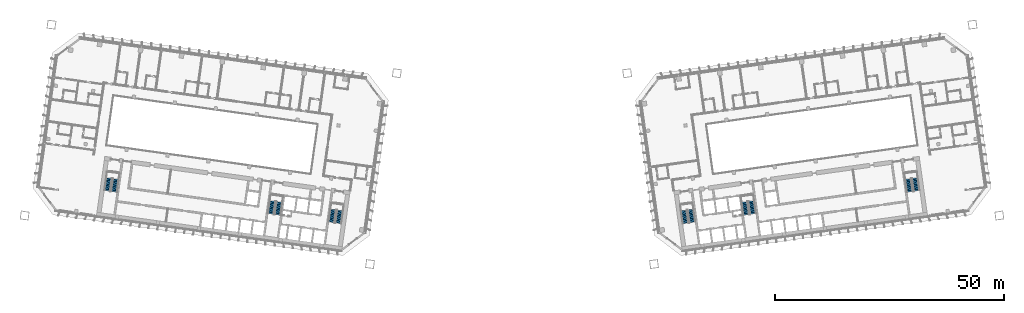
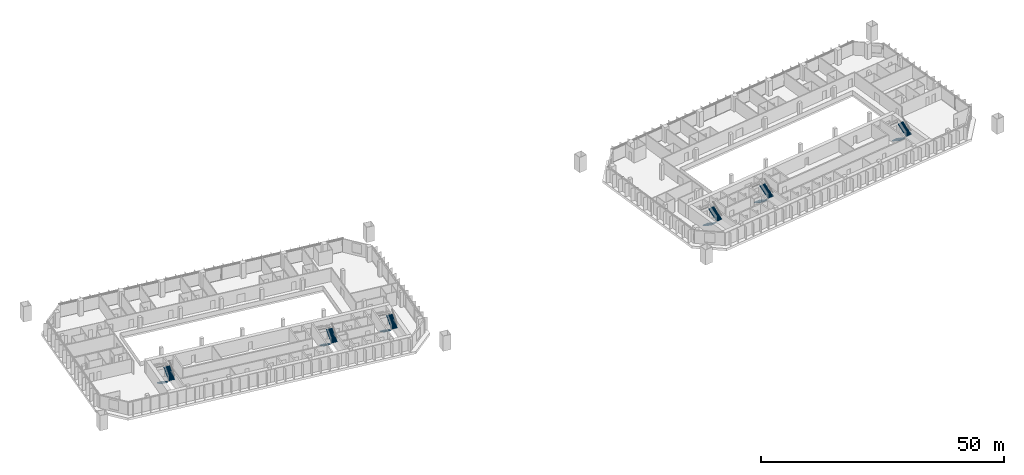
# One storey, part 22 of 24: 12 stair flights, 6 elements without a shape of their own.
"""IFC4 building model written with IfcOpenShell, lengths in metres."""

from ifc_helpers import new_model, si_unit, direction, frame, origin, place, context, subcontext, project, spatial, polyline, outline, extrude, material, type_object, element, aggregate, save


model = new_model("IFC4")

# Units and contexts
model_context = context("Model", 3, precision=1e-05, world=origin(), true_north=direction((0.0, 1.0)))
body_context = subcontext(model_context, "Body", "Model", "MODEL_VIEW")
ifc_project = project(units=[si_unit("LENGTHUNIT", "METRE"), si_unit("AREAUNIT", "SQUARE_METRE"), si_unit("VOLUMEUNIT", "CUBIC_METRE"), si_unit("PLANEANGLEUNIT", "RADIAN"), si_unit("MASSUNIT", "GRAM", prefix="KILO")], contexts=[model_context])

# Site, building, storey
site_placement = place(None, origin())
site = spatial("IfcSite", under=ifc_project, at=site_placement, CompositionType="ELEMENT")
building_placement = place(site_placement, origin())
building = spatial("IfcBuilding", under=site, at=building_placement, Name="Mirante Cascada Hotel Towers", CompositionType="ELEMENT")
storey_placement = place(building_placement, frame((0.0, 0.0, 77.5)))
storey = spatial("IfcBuildingStorey", under=building, at=storey_placement, Name="L16", CompositionType="ELEMENT", Elevation=77.5)

# Stair, stair flights
ifc_material_1 = material(Name="Concrete C35/45", Category="concrete")
stair_type = type_object("IfcStairType", Name="Exit stair half-turn 1350 concrete C35/45", PredefinedType="HALF_TURN_STAIR", material=ifc_material_1)
stair_1_placement = place(storey_placement, origin())
stair_1 = element("IfcStair", 1, at=stair_1_placement, inside=storey, type_object=stair_type, Name="L16 Exit stair A", PredefinedType="HALF_TURN_STAIR")
ifc_material_2 = material(Name="Concrete C35/45", Category="concrete")
stair_flight_type = type_object("IfcStairFlightType", Name="Exit stair flight 1350 concrete C35/45", PredefinedType="STRAIGHT", material=ifc_material_2)
stair_flight_1_placement = place(storey_placement, frame((-38.9417, -11.195, 0.0), z_axis=(0.0, 0.0, 1.0), x_axis=(-0.1391731, -0.9902681, 0.0)))
stair_flight_1 = element("IfcStairFlight", 2, at=stair_flight_1_placement, type_object=stair_flight_type, Name="ST1-A flight 1", NumberOfRisers=11, NumberOfTreads=10, PredefinedType="STRAIGHT", RiserHeight=0.172727273, TreadLength=0.28, context=body_context, shape_type="SweptSolid", body=[
    extrude(outline(polyline([(0.0, 0.0), (0.0, 0.1727), (0.28, 0.1727), (0.28, 0.3455), (0.56, 0.3455), (0.56, 0.5182), (0.84, 0.5182), (0.84, 0.6909), (1.12, 0.6909), (1.12, 0.8636), (1.4, 0.8636), (1.4, 1.0364), (1.68, 1.0364), (1.68, 1.2091), (1.96, 1.2091), (1.96, 1.3818), (2.24, 1.3818), (2.24, 1.5545), (2.52, 1.5545), (2.52, 1.7273), (2.8, 1.7273), (2.8, 1.9), (2.8, 1.551), (0.2857, 0.0), (0.0, 0.0)])), frame((0.0, 0.675, 0.0), z_axis=(0.0, -1.0, 0.0), x_axis=(1.0, 0.0, 0.0)), (0.0, 0.0, 1.0), 1.35),
])
stair_flight_2_placement = place(storey_placement, frame((-37.846, -14.1765, 1.9), z_axis=(0.0, 0.0, 1.0), x_axis=(0.1391731, 0.9902681, 0.0)))
stair_flight_2 = element("IfcStairFlight", 3, at=stair_flight_2_placement, type_object=stair_flight_type, Name="ST1-A flight 2", NumberOfRisers=11, NumberOfTreads=10, PredefinedType="STRAIGHT", RiserHeight=0.172727273, TreadLength=0.28, context=body_context, shape_type="SweptSolid", body=[
    extrude(outline(polyline([(0.0, 0.0), (0.0, 0.1727), (0.28, 0.1727), (0.28, 0.3455), (0.56, 0.3455), (0.56, 0.5182), (0.84, 0.5182), (0.84, 0.6909), (1.12, 0.6909), (1.12, 0.8636), (1.4, 0.8636), (1.4, 1.0364), (1.68, 1.0364), (1.68, 1.2091), (1.96, 1.2091), (1.96, 1.3818), (2.24, 1.3818), (2.24, 1.5545), (2.52, 1.5545), (2.52, 1.7273), (2.8, 1.7273), (2.8, 1.9), (2.8, 1.551), (0.2857, 0.0), (0.0, 0.0)])), frame((0.0, 0.675, 0.0), z_axis=(0.0, -1.0, 0.0), x_axis=(1.0, 0.0, 0.0)), (0.0, 0.0, 1.0), 1.35),
])
aggregate(stair_1, [stair_flight_1, stair_flight_2])

stair_2_placement = place(storey_placement, origin())
stair_2 = element("IfcStair", 4, at=stair_2_placement, inside=storey, type_object=stair_type, Name="L16 Exit stair B", PredefinedType="HALF_TURN_STAIR")
stair_flight_3_placement = place(storey_placement, frame((-52.1618, -9.3371, 0.0), z_axis=(0.0, 0.0, 1.0), x_axis=(-0.1391731, -0.9902681, 0.0)))
stair_flight_3 = element("IfcStairFlight", 5, at=stair_flight_3_placement, type_object=stair_flight_type, Name="ST1-B flight 1", NumberOfRisers=11, NumberOfTreads=10, PredefinedType="STRAIGHT", RiserHeight=0.172727273, TreadLength=0.28, context=body_context, shape_type="SweptSolid", body=[
    extrude(outline(polyline([(0.0, 0.0), (0.0, 0.1727), (0.28, 0.1727), (0.28, 0.3455), (0.56, 0.3455), (0.56, 0.5182), (0.84, 0.5182), (0.84, 0.6909), (1.12, 0.6909), (1.12, 0.8636), (1.4, 0.8636), (1.4, 1.0364), (1.68, 1.0364), (1.68, 1.2091), (1.96, 1.2091), (1.96, 1.3818), (2.24, 1.3818), (2.24, 1.5545), (2.52, 1.5545), (2.52, 1.7273), (2.8, 1.7273), (2.8, 1.9), (2.8, 1.551), (0.2857, 0.0), (0.0, 0.0)])), frame((0.0, 0.675, 0.0), z_axis=(0.0, -1.0, 0.0), x_axis=(1.0, 0.0, 0.0)), (0.0, 0.0, 1.0), 1.35),
])
stair_flight_4_placement = place(storey_placement, frame((-51.0661, -12.3186, 1.9), z_axis=(0.0, 0.0, 1.0), x_axis=(0.1391731, 0.9902681, 0.0)))
stair_flight_4 = element("IfcStairFlight", 6, at=stair_flight_4_placement, type_object=stair_flight_type, Name="ST1-B flight 2", NumberOfRisers=11, NumberOfTreads=10, PredefinedType="STRAIGHT", RiserHeight=0.172727273, TreadLength=0.28, context=body_context, shape_type="SweptSolid", body=[
    extrude(outline(polyline([(0.0, 0.0), (0.0, 0.1727), (0.28, 0.1727), (0.28, 0.3455), (0.56, 0.3455), (0.56, 0.5182), (0.84, 0.5182), (0.84, 0.6909), (1.12, 0.6909), (1.12, 0.8636), (1.4, 0.8636), (1.4, 1.0364), (1.68, 1.0364), (1.68, 1.2091), (1.96, 1.2091), (1.96, 1.3818), (2.24, 1.3818), (2.24, 1.5545), (2.52, 1.5545), (2.52, 1.7273), (2.8, 1.7273), (2.8, 1.9), (2.8, 1.551), (0.2857, 0.0), (0.0, 0.0)])), frame((0.0, 0.675, 0.0), z_axis=(0.0, -1.0, 0.0), x_axis=(1.0, 0.0, 0.0)), (0.0, 0.0, 1.0), 1.35),
])
aggregate(stair_2, [stair_flight_3, stair_flight_4])

stair_3_placement = place(storey_placement, origin())
stair_3 = element("IfcStair", 7, at=stair_3_placement, inside=storey, type_object=stair_type, Name="L16 Exit stair C", PredefinedType="HALF_TURN_STAIR")
stair_flight_5_placement = place(storey_placement, frame((-87.8115, -4.3268, 0.0), z_axis=(0.0, 0.0, 1.0), x_axis=(-0.1391731, -0.9902681, 0.0)))
stair_flight_5 = element("IfcStairFlight", 8, at=stair_flight_5_placement, type_object=stair_flight_type, Name="ST1-C flight 1", NumberOfRisers=11, NumberOfTreads=10, PredefinedType="STRAIGHT", RiserHeight=0.172727273, TreadLength=0.28, context=body_context, shape_type="SweptSolid", body=[
    extrude(outline(polyline([(0.0, 0.0), (0.0, 0.1727), (0.28, 0.1727), (0.28, 0.3455), (0.56, 0.3455), (0.56, 0.5182), (0.84, 0.5182), (0.84, 0.6909), (1.12, 0.6909), (1.12, 0.8636), (1.4, 0.8636), (1.4, 1.0364), (1.68, 1.0364), (1.68, 1.2091), (1.96, 1.2091), (1.96, 1.3818), (2.24, 1.3818), (2.24, 1.5545), (2.52, 1.5545), (2.52, 1.7273), (2.8, 1.7273), (2.8, 1.9), (2.8, 1.551), (0.2857, 0.0), (0.0, 0.0)])), frame((0.0, 0.675, 0.0), z_axis=(0.0, -1.0, 0.0), x_axis=(1.0, 0.0, 0.0)), (0.0, 0.0, 1.0), 1.35),
])
stair_flight_6_placement = place(storey_placement, frame((-86.7157, -7.3084, 1.9), z_axis=(0.0, 0.0, 1.0), x_axis=(0.1391731, 0.9902681, 0.0)))
stair_flight_6 = element("IfcStairFlight", 9, at=stair_flight_6_placement, type_object=stair_flight_type, Name="ST1-C flight 2", NumberOfRisers=11, NumberOfTreads=10, PredefinedType="STRAIGHT", RiserHeight=0.172727273, TreadLength=0.28, context=body_context, shape_type="SweptSolid", body=[
    extrude(outline(polyline([(0.0, 0.0), (0.0, 0.1727), (0.28, 0.1727), (0.28, 0.3455), (0.56, 0.3455), (0.56, 0.5182), (0.84, 0.5182), (0.84, 0.6909), (1.12, 0.6909), (1.12, 0.8636), (1.4, 0.8636), (1.4, 1.0364), (1.68, 1.0364), (1.68, 1.2091), (1.96, 1.2091), (1.96, 1.3818), (2.24, 1.3818), (2.24, 1.5545), (2.52, 1.5545), (2.52, 1.7273), (2.8, 1.7273), (2.8, 1.9), (2.8, 1.551), (0.2857, 0.0), (0.0, 0.0)])), frame((0.0, 0.675, 0.0), z_axis=(0.0, -1.0, 0.0), x_axis=(1.0, 0.0, 0.0)), (0.0, 0.0, 1.0), 1.35),
])
aggregate(stair_3, [stair_flight_5, stair_flight_6])

stair_4_placement = place(storey_placement, origin())
stair_4 = element("IfcStair", 10, at=stair_4_placement, inside=storey, type_object=stair_type, Name="L16 Exit stair A", PredefinedType="HALF_TURN_STAIR")
stair_flight_7_placement = place(storey_placement, frame((37.4563, -11.4038, 0.0), z_axis=(0.0, 0.0, 1.0), x_axis=(0.1391731, -0.9902681, 0.0)))
stair_flight_7 = element("IfcStairFlight", 11, at=stair_flight_7_placement, type_object=stair_flight_type, Name="ST2-A flight 1", NumberOfRisers=11, NumberOfTreads=10, PredefinedType="STRAIGHT", RiserHeight=0.172727273, TreadLength=0.28, context=body_context, shape_type="SweptSolid", body=[
    extrude(outline(polyline([(0.0, 0.0), (0.0, 0.1727), (0.28, 0.1727), (0.28, 0.3455), (0.56, 0.3455), (0.56, 0.5182), (0.84, 0.5182), (0.84, 0.6909), (1.12, 0.6909), (1.12, 0.8636), (1.4, 0.8636), (1.4, 1.0364), (1.68, 1.0364), (1.68, 1.2091), (1.96, 1.2091), (1.96, 1.3818), (2.24, 1.3818), (2.24, 1.5545), (2.52, 1.5545), (2.52, 1.7273), (2.8, 1.7273), (2.8, 1.9), (2.8, 1.551), (0.2857, 0.0), (0.0, 0.0)])), frame((0.0, 0.675, 0.0), z_axis=(0.0, -1.0, 0.0), x_axis=(1.0, 0.0, 0.0)), (0.0, 0.0, 1.0), 1.35),
])
stair_flight_8_placement = place(storey_placement, frame((39.3314, -13.9678, 1.9), z_axis=(0.0, 0.0, 1.0), x_axis=(-0.1391731, 0.9902681, 0.0)))
stair_flight_8 = element("IfcStairFlight", 12, at=stair_flight_8_placement, type_object=stair_flight_type, Name="ST2-A flight 2", NumberOfRisers=11, NumberOfTreads=10, PredefinedType="STRAIGHT", RiserHeight=0.172727273, TreadLength=0.28, context=body_context, shape_type="SweptSolid", body=[
    extrude(outline(polyline([(0.0, 0.0), (0.0, 0.1727), (0.28, 0.1727), (0.28, 0.3455), (0.56, 0.3455), (0.56, 0.5182), (0.84, 0.5182), (0.84, 0.6909), (1.12, 0.6909), (1.12, 0.8636), (1.4, 0.8636), (1.4, 1.0364), (1.68, 1.0364), (1.68, 1.2091), (1.96, 1.2091), (1.96, 1.3818), (2.24, 1.3818), (2.24, 1.5545), (2.52, 1.5545), (2.52, 1.7273), (2.8, 1.7273), (2.8, 1.9), (2.8, 1.551), (0.2857, 0.0), (0.0, 0.0)])), frame((0.0, 0.675, 0.0), z_axis=(0.0, -1.0, 0.0), x_axis=(1.0, 0.0, 0.0)), (0.0, 0.0, 1.0), 1.35),
])
aggregate(stair_4, [stair_flight_7, stair_flight_8])

stair_5_placement = place(storey_placement, origin())
stair_5 = element("IfcStair", 13, at=stair_5_placement, inside=storey, type_object=stair_type, Name="L16 Exit stair B", PredefinedType="HALF_TURN_STAIR")
stair_flight_9_placement = place(storey_placement, frame((50.6764, -9.5458, 0.0), z_axis=(0.0, 0.0, 1.0), x_axis=(0.1391731, -0.9902681, 0.0)))
stair_flight_9 = element("IfcStairFlight", 14, at=stair_flight_9_placement, type_object=stair_flight_type, Name="ST2-B flight 1", NumberOfRisers=11, NumberOfTreads=10, PredefinedType="STRAIGHT", RiserHeight=0.172727273, TreadLength=0.28, context=body_context, shape_type="SweptSolid", body=[
    extrude(outline(polyline([(0.0, 0.0), (0.0, 0.1727), (0.28, 0.1727), (0.28, 0.3455), (0.56, 0.3455), (0.56, 0.5182), (0.84, 0.5182), (0.84, 0.6909), (1.12, 0.6909), (1.12, 0.8636), (1.4, 0.8636), (1.4, 1.0364), (1.68, 1.0364), (1.68, 1.2091), (1.96, 1.2091), (1.96, 1.3818), (2.24, 1.3818), (2.24, 1.5545), (2.52, 1.5545), (2.52, 1.7273), (2.8, 1.7273), (2.8, 1.9), (2.8, 1.551), (0.2857, 0.0), (0.0, 0.0)])), frame((0.0, 0.675, 0.0), z_axis=(0.0, -1.0, 0.0), x_axis=(1.0, 0.0, 0.0)), (0.0, 0.0, 1.0), 1.35),
])
stair_flight_10_placement = place(storey_placement, frame((52.5515, -12.1098, 1.9), z_axis=(0.0, 0.0, 1.0), x_axis=(-0.1391731, 0.9902681, 0.0)))
stair_flight_10 = element("IfcStairFlight", 15, at=stair_flight_10_placement, type_object=stair_flight_type, Name="ST2-B flight 2", NumberOfRisers=11, NumberOfTreads=10, PredefinedType="STRAIGHT", RiserHeight=0.172727273, TreadLength=0.28, context=body_context, shape_type="SweptSolid", body=[
    extrude(outline(polyline([(0.0, 0.0), (0.0, 0.1727), (0.28, 0.1727), (0.28, 0.3455), (0.56, 0.3455), (0.56, 0.5182), (0.84, 0.5182), (0.84, 0.6909), (1.12, 0.6909), (1.12, 0.8636), (1.4, 0.8636), (1.4, 1.0364), (1.68, 1.0364), (1.68, 1.2091), (1.96, 1.2091), (1.96, 1.3818), (2.24, 1.3818), (2.24, 1.5545), (2.52, 1.5545), (2.52, 1.7273), (2.8, 1.7273), (2.8, 1.9), (2.8, 1.551), (0.2857, 0.0), (0.0, 0.0)])), frame((0.0, 0.675, 0.0), z_axis=(0.0, -1.0, 0.0), x_axis=(1.0, 0.0, 0.0)), (0.0, 0.0, 1.0), 1.35),
])
aggregate(stair_5, [stair_flight_9, stair_flight_10])

stair_6_placement = place(storey_placement, origin())
stair_6 = element("IfcStair", 16, at=stair_6_placement, inside=storey, type_object=stair_type, Name="L16 Exit stair C", PredefinedType="HALF_TURN_STAIR")
stair_flight_11_placement = place(storey_placement, frame((86.326, -4.5356, 0.0), z_axis=(0.0, 0.0, 1.0), x_axis=(0.1391731, -0.9902681, 0.0)))
stair_flight_11 = element("IfcStairFlight", 17, at=stair_flight_11_placement, type_object=stair_flight_type, Name="ST2-C flight 1", NumberOfRisers=11, NumberOfTreads=10, PredefinedType="STRAIGHT", RiserHeight=0.172727273, TreadLength=0.28, context=body_context, shape_type="SweptSolid", body=[
    extrude(outline(polyline([(0.0, 0.0), (0.0, 0.1727), (0.28, 0.1727), (0.28, 0.3455), (0.56, 0.3455), (0.56, 0.5182), (0.84, 0.5182), (0.84, 0.6909), (1.12, 0.6909), (1.12, 0.8636), (1.4, 0.8636), (1.4, 1.0364), (1.68, 1.0364), (1.68, 1.2091), (1.96, 1.2091), (1.96, 1.3818), (2.24, 1.3818), (2.24, 1.5545), (2.52, 1.5545), (2.52, 1.7273), (2.8, 1.7273), (2.8, 1.9), (2.8, 1.551), (0.2857, 0.0), (0.0, 0.0)])), frame((0.0, 0.675, 0.0), z_axis=(0.0, -1.0, 0.0), x_axis=(1.0, 0.0, 0.0)), (0.0, 0.0, 1.0), 1.35),
])
stair_flight_12_placement = place(storey_placement, frame((88.2011, -7.0996, 1.9), z_axis=(0.0, 0.0, 1.0), x_axis=(-0.1391731, 0.9902681, 0.0)))
stair_flight_12 = element("IfcStairFlight", 18, at=stair_flight_12_placement, type_object=stair_flight_type, Name="ST2-C flight 2", NumberOfRisers=11, NumberOfTreads=10, PredefinedType="STRAIGHT", RiserHeight=0.172727273, TreadLength=0.28, context=body_context, shape_type="SweptSolid", body=[
    extrude(outline(polyline([(0.0, 0.0), (0.0, 0.1727), (0.28, 0.1727), (0.28, 0.3455), (0.56, 0.3455), (0.56, 0.5182), (0.84, 0.5182), (0.84, 0.6909), (1.12, 0.6909), (1.12, 0.8636), (1.4, 0.8636), (1.4, 1.0364), (1.68, 1.0364), (1.68, 1.2091), (1.96, 1.2091), (1.96, 1.3818), (2.24, 1.3818), (2.24, 1.5545), (2.52, 1.5545), (2.52, 1.7273), (2.8, 1.7273), (2.8, 1.9), (2.8, 1.551), (0.2857, 0.0), (0.0, 0.0)])), frame((0.0, 0.675, 0.0), z_axis=(0.0, -1.0, 0.0), x_axis=(1.0, 0.0, 0.0)), (0.0, 0.0, 1.0), 1.35),
])
aggregate(stair_6, [stair_flight_11, stair_flight_12])

save(model, "model.ifc")
